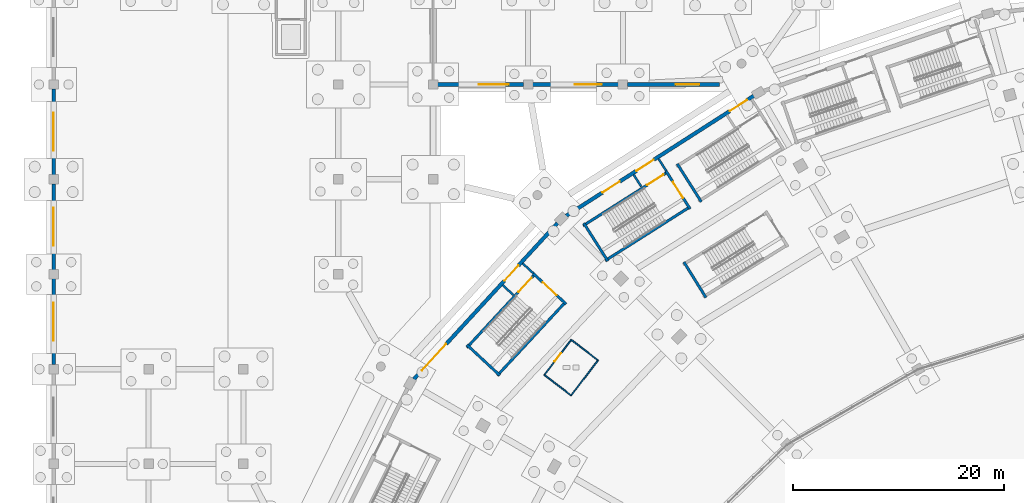
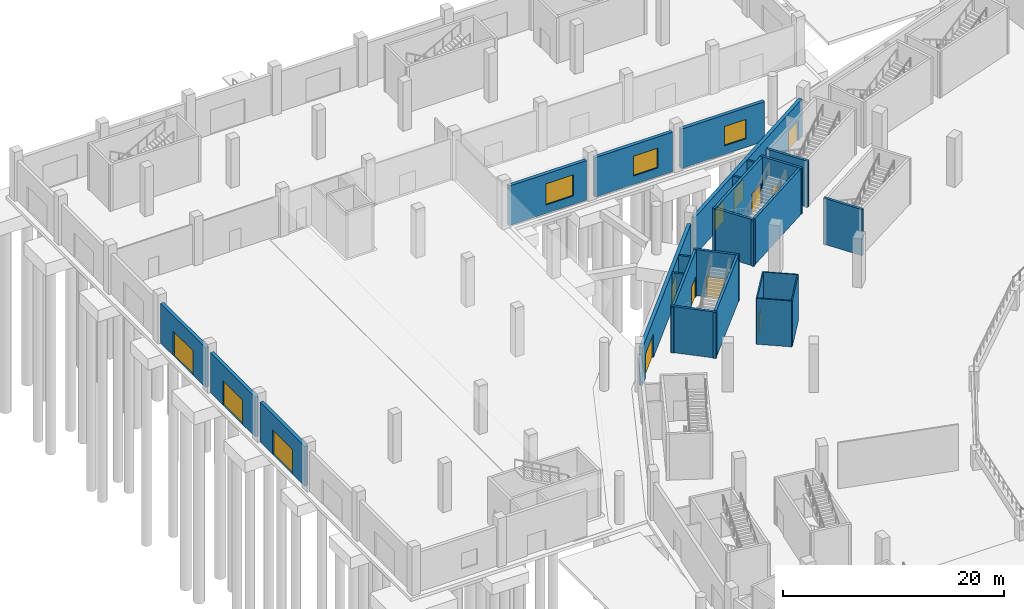
# One storey, part 42 of 103: 26 walls, 13 doors, 3 windows, 16 openings.
"""IFC4 building model written with IfcOpenShell, lengths in metres."""

from ifc_helpers import new_model, si_unit, direction, frame, frame_2d, origin, place, context, subcontext, project, spatial, rectangle, extrude, material, layer, layer_set, type_object, element, fill, save


model = new_model("IFC4")

# Units and contexts
model_context = context("Model", 3, precision=1e-05, world=origin(), true_north=direction((0.0, 1.0)))
body_context = subcontext(model_context, "Body", "Model", "MODEL_VIEW")
ifc_project = project(units=[si_unit("LENGTHUNIT", "METRE"), si_unit("AREAUNIT", "SQUARE_METRE"), si_unit("VOLUMEUNIT", "CUBIC_METRE"), si_unit("PLANEANGLEUNIT", "RADIAN"), si_unit("MASSUNIT", "GRAM", prefix="KILO")], contexts=[model_context])

# Site, building, storey
site_placement = place(None, origin())
site = spatial("IfcSite", under=ifc_project, at=site_placement, CompositionType="ELEMENT")
building_placement = place(site_placement, origin())
building = spatial("IfcBuilding", under=site, at=building_placement, Name="Zevraka Park Crest Stadium", CompositionType="ELEMENT")
storey_placement = place(building_placement, origin())
storey = spatial("IfcBuildingStorey", under=building, at=storey_placement, Name="L00", CompositionType="ELEMENT", Elevation=0.0)

# Wall, openings, doors
ifc_material_1 = material(Name="Limestone and red clay brick masonry", Category="masonry")
ifc_layer_1 = layer(ifc_material_1, 0.35009765625)
ifc_layer_set_1 = layer_set([ifc_layer_1], Name="Limestone and red clay brick masonry")
wall_type_1 = type_object("IfcWallType", Name="EW01", PredefinedType="STANDARD", material=ifc_layer_set_1)
wall_1_placement = place(storey_placement, frame((48.60107421875, 145.534912109375, 0.0), z_axis=(0.0, 0.0, 1.0), x_axis=(0.842308733224, 0.538995359845, 0.0)))
wall_1 = element("IfcWall", 1, at=wall_1_placement, inside=storey, type_object=wall_type_1, Name="L00 Pointed-Arch Colonnade Wall EW01 08", PredefinedType="STANDARD", context=body_context, shape_type="SweptSolid", body=[
    extrude(rectangle(XDim=21.139404296875, YDim=0.35009765625, at=frame_2d((10.56982421875, 0.0))), origin(), (0.0, 0.0, 1.0), 4.1650390625),
])
opening_1_placement = place(wall_1_placement, frame((18.43408203125, 0.0, 0.0)))
opening_1 = element("IfcOpeningElement", 2, at=opening_1_placement, cuts=wall_1, Name="Opening D-L00-EX-ST09", PredefinedType="OPENING", context=body_context, shape_type="SweptSolid", body=[
    extrude(rectangle(XDim=1.949951171875, YDim=2.25, at=frame_2d((0.97509765625, 1.125))), frame((0.0, 0.18505859375, 0.0), z_axis=(0.0, -1.0, 0.0), x_axis=(1.0, 0.0, 0.0)), (0.0, 0.0, 1.0), 0.3701171875),
])
opening_2_placement = place(wall_1_placement, frame((7.93505859375, 0.0, 0.0)))
opening_2 = element("IfcOpeningElement", 3, at=opening_2_placement, cuts=wall_1, Name="Opening D-L00-EX-ST28", PredefinedType="OPENING", context=body_context, shape_type="SweptSolid", body=[
    extrude(rectangle(XDim=1.949951171875, YDim=2.25, at=frame_2d((0.97509765625, 1.125))), frame((0.0, 0.18505859375, 0.0), z_axis=(0.0, -1.0, 0.0), x_axis=(1.0, 0.0, 0.0)), (0.0, 0.0, 1.0), 0.3701171875),
])
opening_3_placement = place(wall_1_placement, frame((4.097900390625, 0.0, 0.0)))
opening_3 = element("IfcOpeningElement", 4, at=opening_3_placement, cuts=wall_1, Name="Opening D-L00-E09", PredefinedType="OPENING", context=body_context, shape_type="SweptSolid", body=[
    extrude(rectangle(XDim=1.949951171875, YDim=2.25, at=frame_2d((0.97509765625, 1.125))), frame((0.0, 0.18505859375, 0.0), z_axis=(0.0, -1.0, 0.0), x_axis=(1.0, 0.0, 0.0)), (0.0, 0.0, 1.0), 0.3701171875),
])
ifc_material_2 = material(Name="Thermally broken architectural aluminium and safety glass", Category="aluminium")
door_type_1 = type_object("IfcDoorType", Name="ED05", OperationType="NOTDEFINED", PredefinedType="DOOR", material=ifc_material_2)
door_1_placement = place(opening_1_placement, origin())
door_1 = element("IfcDoor", 5, at=door_1_placement, inside=storey, type_object=door_type_1, Name="Stair Final Exit Discharge Door D-L00-EX-ST09", OperationType="DOUBLE_DOOR_SINGLE_SWING", OverallHeight=2.25, OverallWidth=1.949951171875, PredefinedType="DOOR", context=body_context, shape_type="SweptSolid", body=[
    extrude(rectangle(XDim=1.949951171875, YDim=2.25, at=frame_2d((0.97509765625, 1.125))), frame((0.0, 0.02490234375, 0.0), z_axis=(0.0, -1.0, 0.0), x_axis=(1.0, 0.0, 0.0)), (0.0, 0.0, 1.0), 0.050048828125),
])
fill(opening_1, door_1)
door_2_placement = place(opening_2_placement, origin())
door_2 = element("IfcDoor", 6, at=door_2_placement, inside=storey, type_object=door_type_1, Name="Stair Final Exit Discharge Door D-L00-EX-ST28", OperationType="DOUBLE_DOOR_SINGLE_SWING", OverallHeight=2.25, OverallWidth=1.949951171875, PredefinedType="DOOR", context=body_context, shape_type="SweptSolid", body=[
    extrude(rectangle(XDim=1.949951171875, YDim=2.25, at=frame_2d((0.97509765625, 1.125))), frame((0.0, 0.02490234375, 0.0), z_axis=(0.0, -1.0, 0.0), x_axis=(1.0, 0.0, 0.0)), (0.0, 0.0, 1.0), 0.050048828125),
])
fill(opening_2, door_2)
door_3_placement = place(opening_3_placement, origin())
door_3 = element("IfcDoor", 7, at=door_3_placement, inside=storey, type_object=door_type_1, Name="Concourse Final Exit E09", OperationType="DOUBLE_DOOR_SINGLE_SWING", OverallHeight=2.25, OverallWidth=1.949951171875, PredefinedType="DOOR", context=body_context, shape_type="SweptSolid", body=[
    extrude(rectangle(XDim=1.949951171875, YDim=2.25, at=frame_2d((0.97509765625, 1.125))), frame((0.0, 0.02490234375, 0.0), z_axis=(0.0, -1.0, 0.0), x_axis=(1.0, 0.0, 0.0)), (0.0, 0.0, 1.0), 0.050048828125),
])
fill(opening_3, door_3)

wall_2_placement = place(storey_placement, frame((34.1630859375, 130.0458984375, 0.0), z_axis=(0.0, 0.0, 1.0), x_axis=(0.677106454921, 0.735885078462, 0.0)))
wall_2 = element("IfcWall", 8, at=wall_2_placement, inside=storey, type_object=wall_type_1, Name="L00 Pointed-Arch Colonnade Wall EW01 09", PredefinedType="STANDARD", context=body_context, shape_type="SweptSolid", body=[
    extrude(rectangle(XDim=20.128173828125, YDim=0.35009765625, at=frame_2d((10.06396484375, 0.0))), origin(), (0.0, 0.0, 1.0), 4.1650390625),
])
opening_4_placement = place(wall_2_placement, frame((12.694091796875, 0.0, 0.0)))
opening_4 = element("IfcOpeningElement", 9, at=opening_4_placement, cuts=wall_2, Name="Opening D-L00-EX-ST10", PredefinedType="OPENING", context=body_context, shape_type="SweptSolid", body=[
    extrude(rectangle(XDim=1.949951171875, YDim=2.25, at=frame_2d((0.97509765625, 1.125))), frame((0.0, 0.18505859375, 0.0), z_axis=(0.0, -1.0, 0.0), x_axis=(1.0, 0.0, 0.0)), (0.0, 0.0, 1.0), 0.3701171875),
])
opening_5_placement = place(wall_2_placement, frame((1.117919921875, 0.0, 0.0)))
opening_5 = element("IfcOpeningElement", 10, at=opening_5_placement, cuts=wall_2, Name="Opening D-L00-E10", PredefinedType="OPENING", context=body_context, shape_type="SweptSolid", body=[
    extrude(rectangle(XDim=3.39990234375, YDim=2.64990234375, at=frame_2d((1.699951171875, 1.324951171875))), frame((0.0, 0.18505859375, 0.0), z_axis=(0.0, -1.0, 0.0), x_axis=(1.0, 0.0, 0.0)), (0.0, 0.0, 1.0), 0.3701171875),
])
ifc_material_3 = material(Name="Thermally broken architectural aluminium and safety glass", Category="aluminium")
door_type_2 = type_object("IfcDoorType", Name="ED02", OperationType="NOTDEFINED", PredefinedType="DOOR", material=ifc_material_3)
door_4_placement = place(opening_5_placement, origin())
door_4 = element("IfcDoor", 11, at=door_4_placement, inside=storey, type_object=door_type_2, Name="Concourse Final Exit E10", OperationType="DOUBLE_DOOR_SINGLE_SWING", OverallHeight=2.64990234375, OverallWidth=3.39990234375, PredefinedType="DOOR", context=body_context, shape_type="SweptSolid", body=[
    extrude(rectangle(XDim=3.39990234375, YDim=2.64990234375, at=frame_2d((1.699951171875, 1.324951171875))), frame((0.0, 0.02490234375, 0.0), z_axis=(0.0, -1.0, 0.0), x_axis=(1.0, 0.0, 0.0)), (0.0, 0.0, 1.0), 0.050048828125),
])
fill(opening_5, door_4)
door_5_placement = place(opening_4_placement, origin())
door_5 = element("IfcDoor", 12, at=door_5_placement, inside=storey, type_object=door_type_1, Name="Stair Final Exit Discharge Door D-L00-EX-ST10", OperationType="DOUBLE_DOOR_SINGLE_SWING", OverallHeight=2.25, OverallWidth=1.949951171875, PredefinedType="DOOR", context=body_context, shape_type="SweptSolid", body=[
    extrude(rectangle(XDim=1.949951171875, YDim=2.25, at=frame_2d((0.97509765625, 1.125))), frame((0.0, 0.02490234375, 0.0), z_axis=(0.0, -1.0, 0.0), x_axis=(1.0, 0.0, 0.0)), (0.0, 0.0, 1.0), 0.050048828125),
])
fill(opening_4, door_5)

# Wall, opening, door
wall_3_placement = place(storey_placement, frame((0.0, 131.425048828125, 0.0), z_axis=(0.0, 0.0, 1.0), x_axis=(0.0, 1.0, 0.0)))
wall_3 = element("IfcWall", 13, at=wall_3_placement, inside=storey, type_object=wall_type_1, Name="Wing External Cavity Wall EW01 L00-NW-W-3", PredefinedType="STANDARD", context=body_context, shape_type="SweptSolid", body=[
    extrude(rectangle(XDim=8.14990234375, YDim=0.35009765625, at=frame_2d((4.074951171875, 0.0))), origin(), (0.0, 0.0, 1.0), 4.4169921875),
])
opening_6_placement = place(wall_3_placement, frame((2.27490234375, 0.0, 0.0)))
opening_6 = element("IfcOpeningElement", 14, at=opening_6_placement, cuts=wall_3, Name="Opening D-L00-E35", PredefinedType="OPENING", context=body_context, shape_type="SweptSolid", body=[
    extrude(rectangle(XDim=3.60009765625, YDim=2.699951171875, at=frame_2d((1.800048828125, 1.35009765625))), frame((0.0, 0.18505859375, 0.0), z_axis=(0.0, -1.0, 0.0), x_axis=(1.0, 0.0, 0.0)), (0.0, 0.0, 1.0), 0.3701171875),
])
ifc_material_4 = material(Name="Thermally broken architectural aluminium and safety glass", Category="aluminium")
door_type_3 = type_object("IfcDoorType", Name="ED01", OperationType="NOTDEFINED", PredefinedType="DOOR", material=ifc_material_4)
door_6_placement = place(opening_6_placement, origin())
door_6 = element("IfcDoor", 15, at=door_6_placement, inside=storey, type_object=door_type_3, Name="Concourse Final Exit E35", OperationType="DOUBLE_DOOR_SINGLE_SWING", OverallHeight=2.699951171875, OverallWidth=3.60009765625, PredefinedType="DOOR", context=body_context, shape_type="SweptSolid", body=[
    extrude(rectangle(XDim=3.60009765625, YDim=2.699951171875, at=frame_2d((1.800048828125, 1.35009765625))), frame((0.0, 0.02490234375, 0.0), z_axis=(0.0, -1.0, 0.0), x_axis=(1.0, 0.0, 0.0)), (0.0, 0.0, 1.0), 0.050048828125),
])
fill(opening_6, door_6)

wall_4_placement = place(storey_placement, frame((0.0, 140.425048828125, 0.0), z_axis=(0.0, 0.0, 1.0), x_axis=(0.0, 1.0, 0.0)))
wall_4 = element("IfcWall", 16, at=wall_4_placement, inside=storey, type_object=wall_type_1, Name="Wing External Cavity Wall EW01 L00-NW-W-4", PredefinedType="STANDARD", context=body_context, shape_type="SweptSolid", body=[
    extrude(rectangle(XDim=8.14990234375, YDim=0.35009765625, at=frame_2d((4.074951171875, 0.0))), origin(), (0.0, 0.0, 1.0), 4.4169921875),
])
opening_7_placement = place(wall_4_placement, frame((2.27490234375, 0.0, 0.0)))
opening_7 = element("IfcOpeningElement", 17, at=opening_7_placement, cuts=wall_4, Name="Opening D-L00-E36", PredefinedType="OPENING", context=body_context, shape_type="SweptSolid", body=[
    extrude(rectangle(XDim=3.60009765625, YDim=2.699951171875, at=frame_2d((1.800048828125, 1.35009765625))), frame((0.0, 0.18505859375, 0.0), z_axis=(0.0, -1.0, 0.0), x_axis=(1.0, 0.0, 0.0)), (0.0, 0.0, 1.0), 0.3701171875),
])
door_7_placement = place(opening_7_placement, origin())
door_7 = element("IfcDoor", 18, at=door_7_placement, inside=storey, type_object=door_type_3, Name="Concourse Final Exit E36", OperationType="DOUBLE_DOOR_SINGLE_SWING", OverallHeight=2.699951171875, OverallWidth=3.60009765625, PredefinedType="DOOR", context=body_context, shape_type="SweptSolid", body=[
    extrude(rectangle(XDim=3.60009765625, YDim=2.699951171875, at=frame_2d((1.800048828125, 1.35009765625))), frame((0.0, 0.02490234375, 0.0), z_axis=(0.0, -1.0, 0.0), x_axis=(1.0, 0.0, 0.0)), (0.0, 0.0, 1.0), 0.050048828125),
])
fill(opening_7, door_7)

wall_5_placement = place(storey_placement, frame((0.0, 149.425048828125, 0.0), z_axis=(0.0, 0.0, 1.0), x_axis=(0.0, 1.0, 0.0)))
wall_5 = element("IfcWall", 19, at=wall_5_placement, inside=storey, type_object=wall_type_1, Name="Wing External Cavity Wall EW01 L00-NW-W-5", PredefinedType="STANDARD", context=body_context, shape_type="SweptSolid", body=[
    extrude(rectangle(XDim=8.14990234375, YDim=0.35009765625, at=frame_2d((4.074951171875, 0.0))), origin(), (0.0, 0.0, 1.0), 4.4169921875),
])
opening_8_placement = place(wall_5_placement, frame((2.27490234375, 0.0, 0.0)))
opening_8 = element("IfcOpeningElement", 20, at=opening_8_placement, cuts=wall_5, Name="Opening D-L00-E37", PredefinedType="OPENING", context=body_context, shape_type="SweptSolid", body=[
    extrude(rectangle(XDim=3.60009765625, YDim=2.699951171875, at=frame_2d((1.800048828125, 1.35009765625))), frame((0.0, 0.18505859375, 0.0), z_axis=(0.0, -1.0, 0.0), x_axis=(1.0, 0.0, 0.0)), (0.0, 0.0, 1.0), 0.3701171875),
])
door_8_placement = place(opening_8_placement, origin())
door_8 = element("IfcDoor", 21, at=door_8_placement, inside=storey, type_object=door_type_3, Name="Concourse Final Exit E37", OperationType="DOUBLE_DOOR_SINGLE_SWING", OverallHeight=2.699951171875, OverallWidth=3.60009765625, PredefinedType="DOOR", context=body_context, shape_type="SweptSolid", body=[
    extrude(rectangle(XDim=3.60009765625, YDim=2.699951171875, at=frame_2d((1.800048828125, 1.35009765625))), frame((0.0, 0.02490234375, 0.0), z_axis=(0.0, -1.0, 0.0), x_axis=(1.0, 0.0, 0.0)), (0.0, 0.0, 1.0), 0.050048828125),
])
fill(opening_8, door_8)

# Wall, opening, window
wall_6_placement = place(storey_placement, frame((63.175048828125, 158.0, 0.0), z_axis=(0.0, 0.0, 1.0), x_axis=(-1.0, 0.0, 0.0)))
wall_6 = element("IfcWall", 22, at=wall_6_placement, inside=storey, type_object=wall_type_1, Name="Wing External Cavity Wall EW01 L00-NW-VER1-1", PredefinedType="STANDARD", context=body_context, shape_type="SweptSolid", body=[
    extrude(rectangle(XDim=8.75, YDim=0.35009765625, at=frame_2d((4.375, 0.0))), origin(), (0.0, 0.0, 1.0), 4.383544921875),
])
opening_9_placement = place(wall_6_placement, frame((1.93798828125, 0.0, 0.949951171875)))
opening_9 = element("IfcOpeningElement", 23, at=opening_9_placement, cuts=wall_6, Name="Opening WN11", PredefinedType="OPENING", context=body_context, shape_type="SweptSolid", body=[
    extrude(rectangle(XDim=2.25, YDim=2.14990234375, at=frame_2d((1.125, 1.074951171875))), frame((0.0, 0.18505859375, 0.0), z_axis=(0.0, -1.0, 0.0), x_axis=(1.0, 0.0, 0.0)), (0.0, 0.0, 1.0), 0.3701171875),
])
ifc_material_5 = material(Name="Solar-control laminated double glazing in aluminium frame", Category="aluminium")
window_type_1 = type_object("IfcWindowType", Name="WN11", PartitioningType="SINGLE_PANEL", PredefinedType="WINDOW", material=ifc_material_5)
window_1_placement = place(opening_9_placement, origin())
window_1 = element("IfcWindow", 24, at=window_1_placement, inside=storey, type_object=window_type_1, Name="Facade Casement Window WN11 W-L00-052", OverallHeight=2.14990234375, OverallWidth=2.25, PartitioningType="SINGLE_PANEL", PredefinedType="WINDOW", context=body_context, shape_type="SweptSolid", body=[
    extrude(rectangle(XDim=2.25, YDim=2.14990234375, at=frame_2d((1.125, 1.074951171875))), frame((0.0, 0.030029296875, 0.0), z_axis=(0.0, -1.0, 0.0), x_axis=(1.0, 0.0, 0.0)), (0.0, 0.0, 1.0), 0.06005859375),
])
fill(opening_9, window_1)

wall_7_placement = place(storey_placement, frame((53.574951171875, 158.0, 0.0), z_axis=(0.0, 0.0, 1.0), x_axis=(-1.0, 0.0, 0.0)))
wall_7 = element("IfcWall", 25, at=wall_7_placement, inside=storey, type_object=wall_type_1, Name="Wing External Cavity Wall EW01 L00-NW-VER1-2", PredefinedType="STANDARD", context=body_context, shape_type="SweptSolid", body=[
    extrude(rectangle(XDim=8.14990234375, YDim=0.35009765625, at=frame_2d((4.074951171875, 0.0))), origin(), (0.0, 0.0, 1.0), 4.383544921875),
])
opening_10_placement = place(wall_7_placement, frame((1.577880859375, 0.0, 0.949951171875)))
opening_10 = element("IfcOpeningElement", 26, at=opening_10_placement, cuts=wall_7, Name="Opening WN12", PredefinedType="OPENING", context=body_context, shape_type="SweptSolid", body=[
    extrude(rectangle(XDim=2.550048828125, YDim=2.199951171875, at=frame_2d((1.27490234375, 1.10009765625))), frame((0.0, 0.18505859375, 0.0), z_axis=(0.0, -1.0, 0.0), x_axis=(1.0, 0.0, 0.0)), (0.0, 0.0, 1.0), 0.3701171875),
])
ifc_material_6 = material(Name="Solar-control laminated double glazing in aluminium frame", Category="aluminium")
window_type_2 = type_object("IfcWindowType", Name="WN12", PartitioningType="SINGLE_PANEL", PredefinedType="WINDOW", material=ifc_material_6)
window_2_placement = place(opening_10_placement, origin())
window_2 = element("IfcWindow", 27, at=window_2_placement, inside=storey, type_object=window_type_2, Name="Facade Casement Window WN12 W-L00-053", OverallHeight=2.199951171875, OverallWidth=2.550048828125, PartitioningType="SINGLE_PANEL", PredefinedType="WINDOW", context=body_context, shape_type="SweptSolid", body=[
    extrude(rectangle(XDim=2.550048828125, YDim=2.199951171875, at=frame_2d((1.27490234375, 1.10009765625))), frame((0.0, 0.030029296875, 0.0), z_axis=(0.0, -1.0, 0.0), x_axis=(1.0, 0.0, 0.0)), (0.0, 0.0, 1.0), 0.06005859375),
])
fill(opening_10, window_2)

wall_8_placement = place(storey_placement, frame((44.574951171875, 158.0, 0.0), z_axis=(0.0, 0.0, 1.0), x_axis=(-1.0, 0.0, 0.0)))
wall_8 = element("IfcWall", 28, at=wall_8_placement, inside=storey, type_object=wall_type_1, Name="Wing External Cavity Wall EW01 L00-NW-VER1-3", PredefinedType="STANDARD", context=body_context, shape_type="SweptSolid", body=[
    extrude(rectangle(XDim=8.14990234375, YDim=0.35009765625, at=frame_2d((4.074951171875, 0.0))), origin(), (0.0, 0.0, 1.0), 4.383544921875),
])
opening_11_placement = place(wall_8_placement, frame((1.427978515625, 0.0, 0.949951171875)))
opening_11 = element("IfcOpeningElement", 29, at=opening_11_placement, cuts=wall_8, Name="Opening WN13", PredefinedType="OPENING", context=body_context, shape_type="SweptSolid", body=[
    extrude(rectangle(XDim=2.85009765625, YDim=2.35009765625, at=frame_2d((1.425048828125, 1.175048828125))), frame((0.0, 0.18505859375, 0.0), z_axis=(0.0, -1.0, 0.0), x_axis=(1.0, 0.0, 0.0)), (0.0, 0.0, 1.0), 0.3701171875),
])
ifc_material_7 = material(Name="Solar-control laminated double glazing in aluminium frame", Category="aluminium")
window_type_3 = type_object("IfcWindowType", Name="WN13", PartitioningType="SINGLE_PANEL", PredefinedType="WINDOW", material=ifc_material_7)
window_3_placement = place(opening_11_placement, origin())
window_3 = element("IfcWindow", 30, at=window_3_placement, inside=storey, type_object=window_type_3, Name="Facade Casement Window WN13 W-L00-054", OverallHeight=2.35009765625, OverallWidth=2.85009765625, PartitioningType="SINGLE_PANEL", PredefinedType="WINDOW", context=body_context, shape_type="SweptSolid", body=[
    extrude(rectangle(XDim=2.85009765625, YDim=2.35009765625, at=frame_2d((1.425048828125, 1.175048828125))), frame((0.0, 0.030029296875, 0.0), z_axis=(0.0, -1.0, 0.0), x_axis=(1.0, 0.0, 0.0)), (0.0, 0.0, 1.0), 0.06005859375),
])
fill(opening_11, window_3)

# Walls
ifc_material_8 = material(Name="Autoclaved aerated masonry blockwork", Category="masonry")
ifc_layer_2 = layer(ifc_material_8, 0.199951171875)
ifc_layer_set_2 = layer_set([ifc_layer_2], Name="Autoclaved aerated masonry blockwork")
wall_type_2 = type_object("IfcWallType", Name="IW01", PredefinedType="PARTITIONING", material=ifc_layer_set_2)
wall_9_placement = place(storey_placement, frame((45.501708984375, 140.090087890625, 0.0), z_axis=(0.0, 0.0, 1.0), x_axis=(-0.73594853595, 0.677037482296, 0.0)))
element("IfcWall", 31, at=wall_9_placement, inside=storey, type_object=wall_type_2, Name="Protected Exit Passageway Wall IW01 ST10-A", PredefinedType="PARTITIONING", context=body_context, shape_type="SweptSolid", body=[
    extrude(rectangle(XDim=1.388427734375, YDim=0.199951171875, at=frame_2d((0.6943359375, 0.0))), origin(), (0.0, 0.0, 1.0), 4.1650390625),
])
wall_10_placement = place(storey_placement, frame((43.59716796875, 138.03759765625, 0.0), z_axis=(0.0, 0.0, 1.0), x_axis=(-0.735842657053, 0.677152555973, 0.0)))
element("IfcWall", 32, at=wall_10_placement, inside=storey, type_object=wall_type_2, Name="Protected Exit Passageway Wall IW01 ST10-B", PredefinedType="PARTITIONING", context=body_context, shape_type="SweptSolid", body=[
    extrude(rectangle(XDim=1.376953125, YDim=0.199951171875, at=frame_2d((0.6884765625, 0.0))), origin(), (0.0, 0.0, 1.0), 4.1650390625),
])
wall_11_placement = place(storey_placement, frame((58.105712890625, 149.808349609375, 0.0), z_axis=(0.0, 0.0, 1.0), x_axis=(-0.539124568491, 0.842226038335, 0.0)))
element("IfcWall", 33, at=wall_11_placement, inside=storey, type_object=wall_type_2, Name="Protected Exit Passageway Wall IW01 ST28-A", PredefinedType="PARTITIONING", context=body_context, shape_type="SweptSolid", body=[
    extrude(rectangle(XDim=1.368408203125, YDim=0.199951171875, at=frame_2d((0.68408203125, 0.0))), origin(), (0.0, 0.0, 1.0), 4.1650390625),
])
wall_12_placement = place(storey_placement, frame((55.741455078125, 148.308349609375, 0.0), z_axis=(0.0, 0.0, 1.0), x_axis=(-0.538829120561, 0.842415087018, 0.0)))
element("IfcWall", 34, at=wall_12_placement, inside=storey, type_object=wall_type_2, Name="Protected Exit Passageway Wall IW01 ST28-B", PredefinedType="PARTITIONING", context=body_context, shape_type="SweptSolid", body=[
    extrude(rectangle(XDim=1.357421875, YDim=0.199951171875, at=frame_2d((0.6787109375, 0.0))), origin(), (0.0, 0.0, 1.0), 4.1650390625),
])
ifc_material_9 = material(Name="Moisture-resistant sanitary partition", Category="other")
ifc_layer_3 = layer(ifc_material_9, 0.1201171875)
ifc_layer_set_3 = layer_set([ifc_layer_3], Name="Moisture-resistant sanitary partition")
wall_type_3 = type_object("IfcWallType", Name="IW04", PredefinedType="PARTITIONING", material=ifc_layer_set_3)
wall_13_placement = place(storey_placement, frame((51.635009765625, 131.8349609375, 0.0), z_axis=(0.0, 0.0, 1.0), x_axis=(-0.608817083681, -0.793310631858, 0.0)))
element("IfcWall", 35, at=wall_13_placement, inside=storey, type_object=wall_type_3, Name="Sanitary Enclosure Wall IW04 Accessible WC L00-003-1", PredefinedType="PARTITIONING", context=body_context, shape_type="SweptSolid", body=[
    extrude(rectangle(XDim=4.2001953125, YDim=0.1201171875, at=frame_2d((2.10009765625, 0.0))), origin(), (0.0, 0.0, 1.0), 5.080078125),
])
wall_14_placement = place(storey_placement, frame((49.077880859375, 128.5029296875, 0.0), z_axis=(0.0, 0.0, 1.0), x_axis=(-0.793369307425, 0.60874061967, 0.0)))
element("IfcWall", 36, at=wall_14_placement, inside=storey, type_object=wall_type_3, Name="Sanitary Enclosure Wall IW04 Accessible WC L00-003-2", PredefinedType="PARTITIONING", context=body_context, shape_type="SweptSolid", body=[
    extrude(rectangle(XDim=3.199951171875, YDim=0.1201171875, at=frame_2d((1.60009765625, 0.0))), origin(), (0.0, 0.0, 1.0), 5.080078125),
])

# Wall, opening, door
wall_15_placement = place(storey_placement, frame((46.5390625, 130.450927734375, 0.0), z_axis=(0.0, 0.0, 1.0), x_axis=(0.608780500298, 0.793338706012, 0.0)))
wall_15 = element("IfcWall", 37, at=wall_15_placement, inside=storey, type_object=wall_type_3, Name="Sanitary Enclosure Wall IW04 Accessible WC L00-003-3", PredefinedType="PARTITIONING", context=body_context, shape_type="SweptSolid", body=[
    extrude(rectangle(XDim=4.199951171875, YDim=0.1201171875, at=frame_2d((2.10009765625, 0.0))), origin(), (0.0, 0.0, 1.0), 5.080078125),
])
opening_12_placement = place(wall_15_placement, frame((1.60009765625, 0.0, 0.0)))
opening_12 = element("IfcOpeningElement", 38, at=opening_12_placement, cuts=wall_15, Name="Opening D-L00-339", PredefinedType="OPENING", context=body_context, shape_type="SweptSolid", body=[
    extrude(rectangle(XDim=1.0, YDim=2.10009765625, at=frame_2d((0.5, 1.050048828125))), frame((0.0, 0.070068359375, 0.0), z_axis=(0.0, -1.0, 0.0), x_axis=(1.0, 0.0, 0.0)), (0.0, 0.0, 1.0), 0.14013671875),
])
ifc_material_10 = material(Name="Solid-core hardwood timber leaf in steel frame", Category="steel")
door_type_4 = type_object("IfcDoorType", Name="DR09", OperationType="NOTDEFINED", PredefinedType="DOOR", material=ifc_material_10)
door_9_placement = place(opening_12_placement, origin())
door_9 = element("IfcDoor", 39, at=door_9_placement, inside=storey, type_object=door_type_4, Name="Accessible WC Door D-L00-339", OperationType="SINGLE_SWING_LEFT", OverallHeight=2.10009765625, OverallWidth=1.0, PredefinedType="DOOR", context=body_context, shape_type="SweptSolid", body=[
    extrude(rectangle(XDim=1.0, YDim=2.10009765625, at=frame_2d((0.5, 1.050048828125))), frame((0.0, 0.02490234375, 0.0), z_axis=(0.0, -1.0, 0.0), x_axis=(1.0, 0.0, 0.0)), (0.0, 0.0, 1.0), 0.050048828125),
])
fill(opening_12, door_9)

# Walls
wall_16_placement = place(storey_placement, frame((49.095947265625, 133.782958984375, 0.0), z_axis=(0.0, 0.0, 1.0), x_axis=(0.793397576328, -0.608703775146, 0.0)))
element("IfcWall", 40, at=wall_16_placement, inside=storey, type_object=wall_type_3, Name="Sanitary Enclosure Wall IW04 Accessible WC L00-003-4", PredefinedType="PARTITIONING", context=body_context, shape_type="SweptSolid", body=[
    extrude(rectangle(XDim=3.2001953125, YDim=0.1201171875, at=frame_2d((1.60009765625, 0.0))), origin(), (0.0, 0.0, 1.0), 5.080078125),
])
ifc_material_11 = material(Name="Concrete C40/50", Category="concrete")
ifc_layer_4 = layer(ifc_material_11, 0.25)
ifc_layer_set_4 = layer_set([ifc_layer_4], Name="Concrete C40/50")
wall_type_4 = type_object("IfcWallType", Name="SW01", PredefinedType="SHEAR", material=ifc_layer_set_4)
wall_17_placement = place(storey_placement, frame((59.1484375, 150.469970703125, 0.0), z_axis=(0.0, 0.0, 1.0), x_axis=(0.53572544074, -0.844392238325, 0.0)))
element("IfcWall", 41, at=wall_17_placement, inside=storey, type_object=wall_type_4, Name="Stair Core Shear Wall SW01 ST09 L00 far", PredefinedType="SHEAR", context=body_context, shape_type="SweptSolid", body=[
    extrude(rectangle(XDim=4.260009765625, YDim=0.25, at=frame_2d((2.1298828125, 0.0))), origin(), (0.0, 0.0, 1.0), 5.10009765625),
])

# Wall, opening, door
wall_18_placement = place(storey_placement, frame((39.197998046875, 133.0478515625, 0.0), z_axis=(0.0, 0.0, 1.0), x_axis=(0.680257902718, 0.7329728411, 0.0)))
wall_18 = element("IfcWall", 42, at=wall_18_placement, inside=storey, type_object=wall_type_4, Name="Stair Core Shear Wall SW01 ST10 L00 left", PredefinedType="SHEAR", context=body_context, shape_type="SweptSolid", body=[
    extrude(rectangle(XDim=9.5498046875, YDim=0.25, at=frame_2d((4.77490234375, 0.0))), origin(), (0.0, 0.0, 1.0), 5.10009765625),
])
opening_13_placement = place(wall_18_placement, frame((7.18994140625, 0.0, 0.0)))
opening_13 = element("IfcOpeningElement", 43, at=opening_13_placement, cuts=wall_18, Name="Opening D-L00-058", PredefinedType="OPENING", context=body_context, shape_type="SweptSolid", body=[
    extrude(rectangle(XDim=1.85009765625, YDim=2.300048828125, at=frame_2d((0.925048828125, 1.14990234375))), frame((0.0, 0.135009765625, 0.0), z_axis=(0.0, -1.0, 0.0), x_axis=(1.0, 0.0, 0.0)), (0.0, 0.0, 1.0), 0.27001953125),
])
ifc_material_12 = material(Name="Solid-core hardwood timber leaf in steel frame", Category="steel")
door_type_5 = type_object("IfcDoorType", Name="DR05", OperationType="NOTDEFINED", PredefinedType="DOOR", material=ifc_material_12)
door_10_placement = place(opening_13_placement, origin())
door_10 = element("IfcDoor", 44, at=door_10_placement, inside=storey, type_object=door_type_5, Name="Stair Exit Discharge Door ST10", OperationType="DOUBLE_DOOR_SINGLE_SWING", OverallHeight=2.300048828125, OverallWidth=1.85009765625, PredefinedType="DOOR", context=body_context, shape_type="SweptSolid", body=[
    extrude(rectangle(XDim=1.85009765625, YDim=2.300048828125, at=frame_2d((0.925048828125, 1.14990234375))), frame((0.0, 0.02490234375, 0.0), z_axis=(0.0, -1.0, 0.0), x_axis=(1.0, 0.0, 0.0)), (0.0, 0.0, 1.0), 0.050048828125),
])
fill(opening_13, door_10)

# Wall
wall_19_placement = place(storey_placement, frame((42.0712890625, 130.381103515625, 0.0), z_axis=(0.0, 0.0, 1.0), x_axis=(0.680245155897, 0.732984670971, 0.0)))
element("IfcWall", 45, at=wall_19_placement, inside=storey, type_object=wall_type_4, Name="Stair Core Shear Wall SW01 ST10 L00 right", PredefinedType="SHEAR", context=body_context, shape_type="SweptSolid", body=[
    extrude(rectangle(XDim=9.550048828125, YDim=0.25, at=frame_2d((4.77490234375, 0.0))), origin(), (0.0, 0.0, 1.0), 5.10009765625),
])

# Wall, opening, door
wall_20_placement = place(storey_placement, frame((48.607177734375, 137.173828125, 0.0), z_axis=(0.0, 0.0, 1.0), x_axis=(-0.73295064559, 0.680281817433, 0.0)))
wall_20 = element("IfcWall", 46, at=wall_20_placement, inside=storey, type_object=wall_type_4, Name="Stair Core Shear Wall SW01 ST10 L00 near", PredefinedType="SHEAR", context=body_context, shape_type="SweptSolid", body=[
    extrude(rectangle(XDim=4.260009765625, YDim=0.25, at=frame_2d((2.1298828125, 0.0))), origin(), (0.0, 0.0, 1.0), 5.10009765625),
])
opening_14_placement = place(wall_20_placement, frame((1.22998046875, 0.0, 0.0)))
opening_14 = element("IfcOpeningElement", 47, at=opening_14_placement, cuts=wall_20, Name="Opening D-L00-057", PredefinedType="OPENING", context=body_context, shape_type="SweptSolid", body=[
    extrude(rectangle(XDim=1.800048828125, YDim=2.25, at=frame_2d((0.89990234375, 1.125))), frame((0.0, 0.135009765625, 0.0), z_axis=(0.0, -1.0, 0.0), x_axis=(1.0, 0.0, 0.0)), (0.0, 0.0, 1.0), 0.27001953125),
])
ifc_material_13 = material(Name="Solid-core hardwood timber leaf in steel frame", Category="steel")
door_type_6 = type_object("IfcDoorType", Name="DR04", OperationType="NOTDEFINED", PredefinedType="DOOR", material=ifc_material_13)
door_11_placement = place(opening_14_placement, origin())
door_11 = element("IfcDoor", 48, at=door_11_placement, inside=storey, type_object=door_type_6, Name="Protected Stair Entry Door ST10 L00", OperationType="DOUBLE_DOOR_SINGLE_SWING", OverallHeight=2.25, OverallWidth=1.800048828125, PredefinedType="DOOR", context=body_context, shape_type="SweptSolid", body=[
    extrude(rectangle(XDim=1.800048828125, YDim=2.25, at=frame_2d((0.89990234375, 1.125))), frame((0.0, 0.02490234375, 0.0), z_axis=(0.0, -1.0, 0.0), x_axis=(1.0, 0.0, 0.0)), (0.0, 0.0, 1.0), 0.050048828125),
])
fill(opening_14, door_11)

# Wall
wall_21_placement = place(storey_placement, frame((39.19921875, 133.299072265625, 0.0), z_axis=(0.0, 0.0, 1.0), x_axis=(0.732977166505, -0.680253242096, 0.0)))
element("IfcWall", 49, at=wall_21_placement, inside=storey, type_object=wall_type_4, Name="Stair Core Shear Wall SW01 ST10 L00 far", PredefinedType="SHEAR", context=body_context, shape_type="SweptSolid", body=[
    extrude(rectangle(XDim=4.260009765625, YDim=0.25, at=frame_2d((2.1298828125, 0.0))), origin(), (0.0, 0.0, 1.0), 5.10009765625),
])

# Wall, opening, door
wall_22_placement = place(storey_placement, frame((50.21728515625, 144.602294921875, 0.0), z_axis=(0.0, 0.0, 1.0), x_axis=(0.844391246241, 0.535727004427, 0.0)))
wall_22 = element("IfcWall", 50, at=wall_22_placement, inside=storey, type_object=wall_type_4, Name="Stair Core Shear Wall SW01 ST28 L00 left", PredefinedType="SHEAR", context=body_context, shape_type="SweptSolid", body=[
    extrude(rectangle(XDim=9.550048828125, YDim=0.25, at=frame_2d((4.77490234375, 0.0))), origin(), (0.0, 0.0, 1.0), 5.10009765625),
])
opening_15_placement = place(wall_22_placement, frame((7.18994140625, 0.0, 0.0)))
opening_15 = element("IfcOpeningElement", 51, at=opening_15_placement, cuts=wall_22, Name="Opening D-L00-161", PredefinedType="OPENING", context=body_context, shape_type="SweptSolid", body=[
    extrude(rectangle(XDim=1.85009765625, YDim=2.300048828125, at=frame_2d((0.925048828125, 1.14990234375))), frame((0.0, 0.135009765625, 0.0), z_axis=(0.0, -1.0, 0.0), x_axis=(1.0, 0.0, 0.0)), (0.0, 0.0, 1.0), 0.27001953125),
])
door_12_placement = place(opening_15_placement, origin())
door_12 = element("IfcDoor", 52, at=door_12_placement, inside=storey, type_object=door_type_5, Name="Stair Exit Discharge Door ST28", OperationType="DOUBLE_DOOR_SINGLE_SWING", OverallHeight=2.300048828125, OverallWidth=1.85009765625, PredefinedType="DOOR", context=body_context, shape_type="SweptSolid", body=[
    extrude(rectangle(XDim=1.85009765625, YDim=2.300048828125, at=frame_2d((0.925048828125, 1.14990234375))), frame((0.0, 0.02490234375, 0.0), z_axis=(0.0, -1.0, 0.0), x_axis=(1.0, 0.0, 0.0)), (0.0, 0.0, 1.0), 0.050048828125),
])
fill(opening_15, door_12)

# Wall
wall_23_placement = place(storey_placement, frame((52.3173828125, 141.292236328125, 0.0), z_axis=(0.0, 0.0, 1.0), x_axis=(0.844391246241, 0.535727004427, 0.0)))
element("IfcWall", 53, at=wall_23_placement, inside=storey, type_object=wall_type_4, Name="Stair Core Shear Wall SW01 ST28 L00 right", PredefinedType="SHEAR", context=body_context, shape_type="SweptSolid", body=[
    extrude(rectangle(XDim=9.550048828125, YDim=0.25, at=frame_2d((4.77490234375, 0.0))), origin(), (0.0, 0.0, 1.0), 5.10009765625),
])

# Wall, opening, door
wall_24_placement = place(storey_placement, frame((60.36669921875, 146.197998046875, 0.0), z_axis=(0.0, 0.0, 1.0), x_axis=(-0.535684577572, 0.844418162613, 0.0)))
wall_24 = element("IfcWall", 54, at=wall_24_placement, inside=storey, type_object=wall_type_4, Name="Stair Core Shear Wall SW01 ST28 L00 near", PredefinedType="SHEAR", context=body_context, shape_type="SweptSolid", body=[
    extrude(rectangle(XDim=4.260009765625, YDim=0.25, at=frame_2d((2.1298828125, 0.0))), origin(), (0.0, 0.0, 1.0), 5.10009765625),
])
opening_16_placement = place(wall_24_placement, frame((1.22998046875, 0.0, 0.0)))
opening_16 = element("IfcOpeningElement", 55, at=opening_16_placement, cuts=wall_24, Name="Opening D-L00-160", PredefinedType="OPENING", context=body_context, shape_type="SweptSolid", body=[
    extrude(rectangle(XDim=1.800048828125, YDim=2.25, at=frame_2d((0.89990234375, 1.125))), frame((0.0, 0.135009765625, 0.0), z_axis=(0.0, -1.0, 0.0), x_axis=(1.0, 0.0, 0.0)), (0.0, 0.0, 1.0), 0.27001953125),
])
door_13_placement = place(opening_16_placement, origin())
door_13 = element("IfcDoor", 56, at=door_13_placement, inside=storey, type_object=door_type_6, Name="Protected Stair Entry Door ST28 L00", OperationType="DOUBLE_DOOR_SINGLE_SWING", OverallHeight=2.25, OverallWidth=1.800048828125, PredefinedType="DOOR", context=body_context, shape_type="SweptSolid", body=[
    extrude(rectangle(XDim=1.800048828125, YDim=2.25, at=frame_2d((0.89990234375, 1.125))), frame((0.0, 0.02490234375, 0.0), z_axis=(0.0, -1.0, 0.0), x_axis=(1.0, 0.0, 0.0)), (0.0, 0.0, 1.0), 0.050048828125),
])
fill(opening_16, door_13)

# Walls
wall_25_placement = place(storey_placement, frame((50.282470703125, 144.844970703125, 0.0), z_axis=(0.0, 0.0, 1.0), x_axis=(0.535684577572, -0.844418162613, 0.0)))
element("IfcWall", 57, at=wall_25_placement, inside=storey, type_object=wall_type_4, Name="Stair Core Shear Wall SW01 ST28 L00 far", PredefinedType="SHEAR", context=body_context, shape_type="SweptSolid", body=[
    extrude(rectangle(XDim=4.260009765625, YDim=0.25, at=frame_2d((2.1298828125, 0.0))), origin(), (0.0, 0.0, 1.0), 5.10009765625),
])
wall_26_placement = place(storey_placement, frame((59.7802734375, 141.157958984375, 0.0), z_axis=(0.0, 0.0, 1.0), x_axis=(0.527258497125, -0.84970493538, 0.0)))
element("IfcWall", 58, at=wall_26_placement, inside=storey, type_object=wall_type_4, Name="Stair Core Shear Wall SW01 ST37 L00 far", PredefinedType="SHEAR", context=body_context, shape_type="SweptSolid", body=[
    extrude(rectangle(XDim=3.9599609375, YDim=0.25, at=frame_2d((1.97998046875, 0.0))), origin(), (0.0, 0.0, 1.0), 5.10009765625),
])

save(model, "model.ifc")
